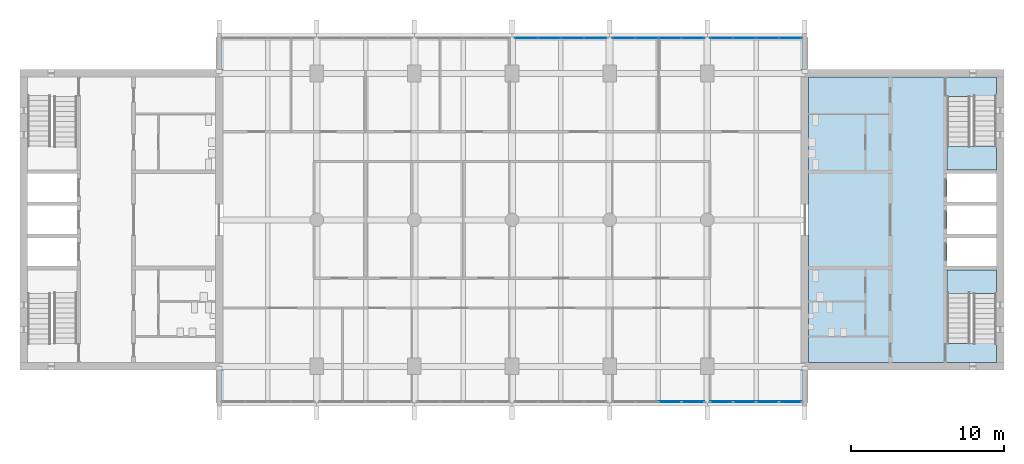
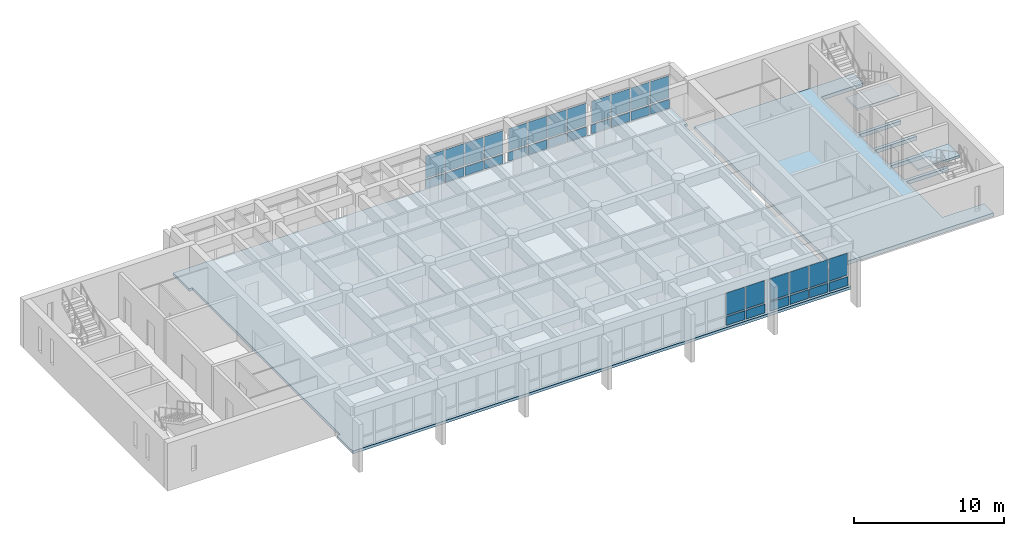
# One storey, part 8 of 15: 36 plates, 4 slabs, 7 elements without a shape of their own.
"""IFC4 building model written with IfcOpenShell, lengths in metres."""

from ifc_helpers import new_model, si_unit, direction, frame, origin, origin_2d, place, context, subcontext, project, spatial, polyline, rectangle, outline, extrude, material, layer, layer_set, type_object, element, aggregate, save


model = new_model("IFC4")

# Units and contexts
model_context = context("Model", 3, precision=1e-05, world=origin(), true_north=direction((0.0, 1.0)))
body_context = subcontext(model_context, "Body", "Model", "MODEL_VIEW")
ifc_project = project(units=[si_unit("LENGTHUNIT", "METRE"), si_unit("AREAUNIT", "SQUARE_METRE"), si_unit("VOLUMEUNIT", "CUBIC_METRE"), si_unit("PLANEANGLEUNIT", "RADIAN"), si_unit("MASSUNIT", "GRAM", prefix="KILO")], contexts=[model_context])

# Site, building, storey
site_placement = place(None, origin())
site = spatial("IfcSite", under=ifc_project, at=site_placement, CompositionType="ELEMENT")
building_placement = place(site_placement, origin())
building = spatial("IfcBuilding", under=site, at=building_placement, Name="Fogon Plaza Fire Station and Headquarters Tower", CompositionType="ELEMENT")
storey_placement = place(building_placement, frame((0.0, 0.0, 48.300048828125)))
storey = spatial("IfcBuildingStorey", under=building, at=storey_placement, Name="L12", CompositionType="ELEMENT", Elevation=48.300048828125)

# Slabs
ifc_material_1 = material(Name="Concrete C40", Category="concrete")
ifc_layer_1 = layer(ifc_material_1, 0.300048828125)
ifc_layer_set_1 = layer_set([ifc_layer_1], Name="Concrete C40")
slab_type_1 = type_object("IfcSlabType", Name="Core Floor Slab RC 300", PredefinedType="FLOOR", material=ifc_layer_set_1)
slab_1_placement = place(storey_placement, frame((0.0, 0.0, -0.300048828125)))
element("IfcSlab", 1, at=slab_1_placement, inside=storey, type_object=slab_type_1, Name="Core B floor", PredefinedType="FLOOR", context=body_context, shape_type="SweptSolid", body=[
    extrude(outline(polyline([(76.550048828125, 35.110107421875), (73.324951171875, 35.110107421875), (73.324951171875, 39.925048828125), (76.550048828125, 39.925048828125), (76.550048828125, 40.175048828125), (73.324951171875, 40.175048828125), (73.324951171875, 42.02490234375), (76.550048828125, 42.02490234375), (76.550048828125, 42.27490234375), (73.324951171875, 42.27490234375), (73.324951171875, 44.125), (76.550048828125, 44.125), (76.550048828125, 44.375), (73.324951171875, 44.375), (73.324951171875, 46.22509765625), (76.550048828125, 46.22509765625), (76.550048828125, 46.47509765625), (73.324951171875, 46.47509765625), (73.324951171875, 51.2900390625), (76.550048828125, 51.2900390625), (76.550048828125, 52.550048828125), (64.25, 52.550048828125), (64.25, 33.85009765625), (76.550048828125, 33.85009765625), (76.550048828125, 35.110107421875)])), origin(), (0.0, 0.0, 1.0), 0.300048828125),
])
ifc_material_2 = material(Name="Concrete C40", Category="concrete")
ifc_layer_2 = layer(ifc_material_2, 0.219970703125)
ifc_layer_set_2 = layer_set([ifc_layer_2], Name="Concrete C40")
slab_type_2 = type_object("IfcSlabType", Name="Floor slab 220 S22", PredefinedType="FLOOR", material=ifc_layer_set_2)
slab_2_placement = place(storey_placement, frame((0.0, 0.0, -0.219970703125)))
element("IfcSlab", 2, at=slab_2_placement, inside=storey, type_object=slab_type_2, Name="slab-L12-bar", PredefinedType="FLOOR", context=body_context, shape_type="SweptSolid", body=[
    extrude(outline(polyline([(64.0, 31.199951171875), (25.60009765625, 31.199951171875), (25.60009765625, 33.35009765625), (25.85009765625, 33.35009765625), (25.85009765625, 53.050048828125), (25.60009765625, 53.050048828125), (25.60009765625, 55.199951171875), (64.0, 55.199951171875), (64.0, 53.050048828125), (63.75, 53.050048828125), (63.75, 33.35009765625), (64.0, 33.35009765625), (64.0, 31.199951171875)])), origin(), (0.0, 0.0, 1.0), 0.219970703125),
])

# Curtain wall, plates
ifc_material_3 = material(Name="Aluminium and glass", Category="aluminium")
ifc_layer_3 = layer(ifc_material_3, 0.14990234375)
ifc_layer_set_3 = layer_set([ifc_layer_3], Name="Aluminium and glass")
curtain_wall_type = type_object("IfcCurtainWallType", Name="Unitised Curtain Wall Run 6100x2880", PredefinedType="NOTDEFINED", material=ifc_layer_set_3)
curtain_wall_1_placement = place(storey_placement, origin())
curtain_wall_1 = element("IfcCurtainWall", 3, at=curtain_wall_1_placement, inside=storey, type_object=curtain_wall_type, Name="CW-6100x2880 S5 L12", PredefinedType="NOTDEFINED")
ifc_material_4 = material(Name="Insulated aluminium spandrel", Category="aluminium")
ifc_layer_4 = layer(ifc_material_4, 0.06005859375)
ifc_layer_set_4 = layer_set([ifc_layer_4], Name="Insulated aluminium spandrel")
plate_type_1 = type_object("IfcPlateType", Name="Insulated Spandrel Panel", PredefinedType="CURTAIN_PANEL", material=ifc_layer_set_4)
plate_1_placement = place(storey_placement, frame((55.155029296875, 31.280029296875, 0.1201171875), z_axis=(0.0, 0.0, 1.0), x_axis=(1.0, 0.0, 0.0)))
plate_1 = element("IfcPlate", 4, at=plate_1_placement, type_object=plate_type_1, Name="SP1 panel 3.1", PredefinedType="CURTAIN_PANEL", context=body_context, shape_type="SweptSolid", body=[
    extrude(rectangle(XDim=1.449951171875, YDim=0.06005859375, at=origin_2d()), origin(), (0.0, 0.0, 1.0), 0.719970703125),
])
plate_2_placement = place(storey_placement, frame((56.6650390625, 31.280029296875, 0.1201171875), z_axis=(0.0, 0.0, 1.0), x_axis=(1.0, 0.0, 0.0)))
plate_2 = element("IfcPlate", 5, at=plate_2_placement, type_object=plate_type_1, Name="SP1 panel 4.1", PredefinedType="CURTAIN_PANEL", context=body_context, shape_type="SweptSolid", body=[
    extrude(rectangle(XDim=1.449951171875, YDim=0.06005859375, at=origin_2d()), origin(), (0.0, 0.0, 1.0), 0.719970703125),
])

curtain_wall_2_placement = place(storey_placement, origin())
curtain_wall_2 = element("IfcCurtainWall", 6, at=curtain_wall_2_placement, inside=storey, type_object=curtain_wall_type, Name="CW-6100x2880 S6 L12", PredefinedType="NOTDEFINED")
plate_3_placement = place(storey_placement, frame((58.534912109375, 31.280029296875, 0.1201171875), z_axis=(0.0, 0.0, 1.0), x_axis=(1.0, 0.0, 0.0)))
plate_3 = element("IfcPlate", 7, at=plate_3_placement, type_object=plate_type_1, Name="SP1 panel 1.1", PredefinedType="CURTAIN_PANEL", context=body_context, shape_type="SweptSolid", body=[
    extrude(rectangle(XDim=1.449951171875, YDim=0.06005859375, at=origin_2d()), origin(), (0.0, 0.0, 1.0), 0.719970703125),
])
plate_4_placement = place(storey_placement, frame((60.044921875, 31.280029296875, 0.1201171875), z_axis=(0.0, 0.0, 1.0), x_axis=(1.0, 0.0, 0.0)))
plate_4 = element("IfcPlate", 8, at=plate_4_placement, type_object=plate_type_1, Name="SP1 panel 2.1", PredefinedType="CURTAIN_PANEL", context=body_context, shape_type="SweptSolid", body=[
    extrude(rectangle(XDim=1.449951171875, YDim=0.06005859375, at=origin_2d()), origin(), (0.0, 0.0, 1.0), 0.719970703125),
])
plate_5_placement = place(storey_placement, frame((61.554931640625, 31.280029296875, 0.1201171875), z_axis=(0.0, 0.0, 1.0), x_axis=(1.0, 0.0, 0.0)))
plate_5 = element("IfcPlate", 9, at=plate_5_placement, type_object=plate_type_1, Name="SP1 panel 3.1", PredefinedType="CURTAIN_PANEL", context=body_context, shape_type="SweptSolid", body=[
    extrude(rectangle(XDim=1.449951171875, YDim=0.06005859375, at=origin_2d()), origin(), (0.0, 0.0, 1.0), 0.719970703125),
])
plate_6_placement = place(storey_placement, frame((63.06494140625, 31.280029296875, 0.1201171875), z_axis=(0.0, 0.0, 1.0), x_axis=(1.0, 0.0, 0.0)))
plate_6 = element("IfcPlate", 10, at=plate_6_placement, type_object=plate_type_1, Name="SP1 panel 4.1", PredefinedType="CURTAIN_PANEL", context=body_context, shape_type="SweptSolid", body=[
    extrude(rectangle(XDim=1.449951171875, YDim=0.06005859375, at=origin_2d()), origin(), (0.0, 0.0, 1.0), 0.719970703125),
])

curtain_wall_3_placement = place(storey_placement, origin())
curtain_wall_3 = element("IfcCurtainWall", 11, at=curtain_wall_3_placement, inside=storey, type_object=curtain_wall_type, Name="CW-6100x2880 N4 L12", PredefinedType="NOTDEFINED")
plate_7_placement = place(storey_placement, frame((45.735107421875, 55.1201171875, 0.1201171875), z_axis=(0.0, 0.0, 1.0), x_axis=(1.0, 0.0, 0.0)))
plate_7 = element("IfcPlate", 12, at=plate_7_placement, type_object=plate_type_1, Name="SP1 panel 1.1", PredefinedType="CURTAIN_PANEL", context=body_context, shape_type="SweptSolid", body=[
    extrude(rectangle(XDim=1.449951171875, YDim=0.06005859375, at=origin_2d()), origin(), (0.0, 0.0, 1.0), 0.719970703125),
])
plate_8_placement = place(storey_placement, frame((47.2451171875, 55.1201171875, 0.1201171875), z_axis=(0.0, 0.0, 1.0), x_axis=(1.0, 0.0, 0.0)))
plate_8 = element("IfcPlate", 13, at=plate_8_placement, type_object=plate_type_1, Name="SP1 panel 2.1", PredefinedType="CURTAIN_PANEL", context=body_context, shape_type="SweptSolid", body=[
    extrude(rectangle(XDim=1.449951171875, YDim=0.06005859375, at=origin_2d()), origin(), (0.0, 0.0, 1.0), 0.719970703125),
])
plate_9_placement = place(storey_placement, frame((48.7548828125, 55.1201171875, 0.1201171875), z_axis=(0.0, 0.0, 1.0), x_axis=(1.0, 0.0, 0.0)))
plate_9 = element("IfcPlate", 14, at=plate_9_placement, type_object=plate_type_1, Name="SP1 panel 3.1", PredefinedType="CURTAIN_PANEL", context=body_context, shape_type="SweptSolid", body=[
    extrude(rectangle(XDim=1.449951171875, YDim=0.06005859375, at=origin_2d()), origin(), (0.0, 0.0, 1.0), 0.719970703125),
])
plate_10_placement = place(storey_placement, frame((50.264892578125, 55.1201171875, 0.1201171875), z_axis=(0.0, 0.0, 1.0), x_axis=(1.0, 0.0, 0.0)))
plate_10 = element("IfcPlate", 15, at=plate_10_placement, type_object=plate_type_1, Name="SP1 panel 4.1", PredefinedType="CURTAIN_PANEL", context=body_context, shape_type="SweptSolid", body=[
    extrude(rectangle(XDim=1.449951171875, YDim=0.06005859375, at=origin_2d()), origin(), (0.0, 0.0, 1.0), 0.719970703125),
])

curtain_wall_4_placement = place(storey_placement, origin())
curtain_wall_4 = element("IfcCurtainWall", 16, at=curtain_wall_4_placement, inside=storey, type_object=curtain_wall_type, Name="CW-6100x2880 N5 L12", PredefinedType="NOTDEFINED")
plate_11_placement = place(storey_placement, frame((52.135009765625, 55.1201171875, 0.1201171875), z_axis=(0.0, 0.0, 1.0), x_axis=(1.0, 0.0, 0.0)))
plate_11 = element("IfcPlate", 17, at=plate_11_placement, type_object=plate_type_1, Name="SP1 panel 1.1", PredefinedType="CURTAIN_PANEL", context=body_context, shape_type="SweptSolid", body=[
    extrude(rectangle(XDim=1.449951171875, YDim=0.06005859375, at=origin_2d()), origin(), (0.0, 0.0, 1.0), 0.719970703125),
])
plate_12_placement = place(storey_placement, frame((53.64501953125, 55.1201171875, 0.1201171875), z_axis=(0.0, 0.0, 1.0), x_axis=(1.0, 0.0, 0.0)))
plate_12 = element("IfcPlate", 18, at=plate_12_placement, type_object=plate_type_1, Name="SP1 panel 2.1", PredefinedType="CURTAIN_PANEL", context=body_context, shape_type="SweptSolid", body=[
    extrude(rectangle(XDim=1.449951171875, YDim=0.06005859375, at=origin_2d()), origin(), (0.0, 0.0, 1.0), 0.719970703125),
])
plate_13_placement = place(storey_placement, frame((55.155029296875, 55.1201171875, 0.1201171875), z_axis=(0.0, 0.0, 1.0), x_axis=(1.0, 0.0, 0.0)))
plate_13 = element("IfcPlate", 19, at=plate_13_placement, type_object=plate_type_1, Name="SP1 panel 3.1", PredefinedType="CURTAIN_PANEL", context=body_context, shape_type="SweptSolid", body=[
    extrude(rectangle(XDim=1.449951171875, YDim=0.06005859375, at=origin_2d()), origin(), (0.0, 0.0, 1.0), 0.719970703125),
])
plate_14_placement = place(storey_placement, frame((56.6650390625, 55.1201171875, 0.1201171875), z_axis=(0.0, 0.0, 1.0), x_axis=(1.0, 0.0, 0.0)))
plate_14 = element("IfcPlate", 20, at=plate_14_placement, type_object=plate_type_1, Name="SP1 panel 4.1", PredefinedType="CURTAIN_PANEL", context=body_context, shape_type="SweptSolid", body=[
    extrude(rectangle(XDim=1.449951171875, YDim=0.06005859375, at=origin_2d()), origin(), (0.0, 0.0, 1.0), 0.719970703125),
])

curtain_wall_5_placement = place(storey_placement, origin())
curtain_wall_5 = element("IfcCurtainWall", 21, at=curtain_wall_5_placement, inside=storey, type_object=curtain_wall_type, Name="CW-6100x2880 N6 L12", PredefinedType="NOTDEFINED")
plate_15_placement = place(storey_placement, frame((58.534912109375, 55.1201171875, 0.1201171875), z_axis=(0.0, 0.0, 1.0), x_axis=(1.0, 0.0, 0.0)))
plate_15 = element("IfcPlate", 22, at=plate_15_placement, type_object=plate_type_1, Name="SP1 panel 1.1", PredefinedType="CURTAIN_PANEL", context=body_context, shape_type="SweptSolid", body=[
    extrude(rectangle(XDim=1.449951171875, YDim=0.06005859375, at=origin_2d()), origin(), (0.0, 0.0, 1.0), 0.719970703125),
])
plate_16_placement = place(storey_placement, frame((60.044921875, 55.1201171875, 0.1201171875), z_axis=(0.0, 0.0, 1.0), x_axis=(1.0, 0.0, 0.0)))
plate_16 = element("IfcPlate", 23, at=plate_16_placement, type_object=plate_type_1, Name="SP1 panel 2.1", PredefinedType="CURTAIN_PANEL", context=body_context, shape_type="SweptSolid", body=[
    extrude(rectangle(XDim=1.449951171875, YDim=0.06005859375, at=origin_2d()), origin(), (0.0, 0.0, 1.0), 0.719970703125),
])
plate_17_placement = place(storey_placement, frame((61.554931640625, 55.1201171875, 0.1201171875), z_axis=(0.0, 0.0, 1.0), x_axis=(1.0, 0.0, 0.0)))
plate_17 = element("IfcPlate", 24, at=plate_17_placement, type_object=plate_type_1, Name="SP1 panel 3.1", PredefinedType="CURTAIN_PANEL", context=body_context, shape_type="SweptSolid", body=[
    extrude(rectangle(XDim=1.449951171875, YDim=0.06005859375, at=origin_2d()), origin(), (0.0, 0.0, 1.0), 0.719970703125),
])
plate_18_placement = place(storey_placement, frame((63.06494140625, 55.1201171875, 0.1201171875), z_axis=(0.0, 0.0, 1.0), x_axis=(1.0, 0.0, 0.0)))
plate_18 = element("IfcPlate", 25, at=plate_18_placement, type_object=plate_type_1, Name="SP1 panel 4.1", PredefinedType="CURTAIN_PANEL", context=body_context, shape_type="SweptSolid", body=[
    extrude(rectangle(XDim=1.449951171875, YDim=0.06005859375, at=origin_2d()), origin(), (0.0, 0.0, 1.0), 0.719970703125),
])

# Stair, slab
ifc_material_5 = material(Name="Concrete C40", Category="concrete")
stair_type = type_object("IfcStairType", Name="Exit Stair Two Flights", PredefinedType="TWO_STRAIGHT_RUN_STAIR", material=ifc_material_5)
stair_1_placement = place(storey_placement, origin())
stair_1 = element("IfcStair", 26, at=stair_1_placement, inside=storey, type_object=stair_type, Name="Stair ST3", PredefinedType="TWO_STRAIGHT_RUN_STAIR")
ifc_material_6 = material(Name="Concrete C40", Category="concrete")
ifc_layer_5 = layer(ifc_material_6, 0.300048828125)
ifc_layer_set_5 = layer_set([ifc_layer_5], Name="Concrete C40")
slab_type_3 = type_object("IfcSlabType", Name="Stair Landing RC 300", PredefinedType="LANDING", material=ifc_layer_set_5)
slab_3_placement = place(storey_placement, frame((0.0, 0.0, 1.75)))
slab_3 = element("IfcSlab", 27, at=slab_3_placement, type_object=slab_type_3, Name="ST3 landing L14", PredefinedType="LANDING", context=body_context, shape_type="SweptSolid", body=[
    extrude(outline(polyline([(73.324951171875, 38.375), (76.550048828125, 38.375), (76.550048828125, 39.925048828125), (73.324951171875, 39.925048828125), (73.324951171875, 38.375)])), origin(), (0.0, 0.0, 1.0), 0.199951171875),
])
aggregate(stair_1, [slab_3])

stair_2_placement = place(storey_placement, origin())
stair_2 = element("IfcStair", 28, at=stair_2_placement, inside=storey, type_object=stair_type, Name="Stair ST4", PredefinedType="TWO_STRAIGHT_RUN_STAIR")
slab_4_placement = place(storey_placement, frame((0.0, 0.0, 1.75)))
slab_4 = element("IfcSlab", 29, at=slab_4_placement, type_object=slab_type_3, Name="ST4 landing L14", PredefinedType="LANDING", context=body_context, shape_type="SweptSolid", body=[
    extrude(outline(polyline([(73.324951171875, 46.47509765625), (76.550048828125, 46.47509765625), (76.550048828125, 48.02490234375), (73.324951171875, 48.02490234375), (73.324951171875, 46.47509765625)])), origin(), (0.0, 0.0, 1.0), 0.199951171875),
])
aggregate(stair_2, [slab_4])

# Plate
ifc_material_7 = material(Name="Low-e double glazing", Category="glass")
ifc_layer_6 = layer(ifc_material_7, 0.028076171875)
ifc_layer_set_6 = layer_set([ifc_layer_6], Name="Low-e double glazing")
plate_type_2 = type_object("IfcPlateType", Name="Vision Glass Panel 1450x1800", PredefinedType="CURTAIN_PANEL", material=ifc_layer_set_6)
plate_19_placement = place(storey_placement, frame((55.155029296875, 31.280029296875, 0.9599609375), z_axis=(0.0, 0.0, 1.0), x_axis=(1.0, 0.0, 0.0)))
plate_19 = element("IfcPlate", 30, at=plate_19_placement, type_object=plate_type_2, Name="VG-1450x1800 panel 3.2", PredefinedType="CURTAIN_PANEL", context=body_context, shape_type="SweptSolid", body=[
    extrude(rectangle(XDim=1.449951171875, YDim=0.028076171875, at=origin_2d()), origin(), (0.0, 0.0, 1.0), 1.800048828125),
])

plate_20_placement = place(storey_placement, frame((56.6650390625, 31.280029296875, 0.9599609375), z_axis=(0.0, 0.0, 1.0), x_axis=(1.0, 0.0, 0.0)))
plate_20 = element("IfcPlate", 31, at=plate_20_placement, type_object=plate_type_2, Name="VG-1450x1800 panel 4.2", PredefinedType="CURTAIN_PANEL", context=body_context, shape_type="SweptSolid", body=[
    extrude(rectangle(XDim=1.449951171875, YDim=0.028076171875, at=origin_2d()), origin(), (0.0, 0.0, 1.0), 1.800048828125),
])

aggregate(curtain_wall_1, [plate_1, plate_19, plate_2, plate_20])

plate_21_placement = place(storey_placement, frame((58.534912109375, 31.280029296875, 0.9599609375), z_axis=(0.0, 0.0, 1.0), x_axis=(1.0, 0.0, 0.0)))
plate_21 = element("IfcPlate", 32, at=plate_21_placement, type_object=plate_type_2, Name="VG-1450x1800 panel 1.2", PredefinedType="CURTAIN_PANEL", context=body_context, shape_type="SweptSolid", body=[
    extrude(rectangle(XDim=1.449951171875, YDim=0.028076171875, at=origin_2d()), origin(), (0.0, 0.0, 1.0), 1.800048828125),
])

plate_22_placement = place(storey_placement, frame((60.044921875, 31.280029296875, 0.9599609375), z_axis=(0.0, 0.0, 1.0), x_axis=(1.0, 0.0, 0.0)))
plate_22 = element("IfcPlate", 33, at=plate_22_placement, type_object=plate_type_2, Name="VG-1450x1800 panel 2.2", PredefinedType="CURTAIN_PANEL", context=body_context, shape_type="SweptSolid", body=[
    extrude(rectangle(XDim=1.449951171875, YDim=0.028076171875, at=origin_2d()), origin(), (0.0, 0.0, 1.0), 1.800048828125),
])

plate_23_placement = place(storey_placement, frame((61.554931640625, 31.280029296875, 0.9599609375), z_axis=(0.0, 0.0, 1.0), x_axis=(1.0, 0.0, 0.0)))
plate_23 = element("IfcPlate", 34, at=plate_23_placement, type_object=plate_type_2, Name="VG-1450x1800 panel 3.2", PredefinedType="CURTAIN_PANEL", context=body_context, shape_type="SweptSolid", body=[
    extrude(rectangle(XDim=1.449951171875, YDim=0.028076171875, at=origin_2d()), origin(), (0.0, 0.0, 1.0), 1.800048828125),
])

plate_24_placement = place(storey_placement, frame((63.06494140625, 31.280029296875, 0.9599609375), z_axis=(0.0, 0.0, 1.0), x_axis=(1.0, 0.0, 0.0)))
plate_24 = element("IfcPlate", 35, at=plate_24_placement, type_object=plate_type_2, Name="VG-1450x1800 panel 4.2", PredefinedType="CURTAIN_PANEL", context=body_context, shape_type="SweptSolid", body=[
    extrude(rectangle(XDim=1.449951171875, YDim=0.028076171875, at=origin_2d()), origin(), (0.0, 0.0, 1.0), 1.800048828125),
])

aggregate(curtain_wall_2, [plate_3, plate_21, plate_4, plate_22, plate_5, plate_23, plate_6, plate_24])

plate_25_placement = place(storey_placement, frame((45.735107421875, 55.1201171875, 0.9599609375), z_axis=(0.0, 0.0, 1.0), x_axis=(1.0, 0.0, 0.0)))
plate_25 = element("IfcPlate", 36, at=plate_25_placement, type_object=plate_type_2, Name="VG-1450x1800 panel 1.2", PredefinedType="CURTAIN_PANEL", context=body_context, shape_type="SweptSolid", body=[
    extrude(rectangle(XDim=1.449951171875, YDim=0.028076171875, at=origin_2d()), origin(), (0.0, 0.0, 1.0), 1.800048828125),
])

plate_26_placement = place(storey_placement, frame((47.2451171875, 55.1201171875, 0.9599609375), z_axis=(0.0, 0.0, 1.0), x_axis=(1.0, 0.0, 0.0)))
plate_26 = element("IfcPlate", 37, at=plate_26_placement, type_object=plate_type_2, Name="VG-1450x1800 panel 2.2", PredefinedType="CURTAIN_PANEL", context=body_context, shape_type="SweptSolid", body=[
    extrude(rectangle(XDim=1.449951171875, YDim=0.028076171875, at=origin_2d()), origin(), (0.0, 0.0, 1.0), 1.800048828125),
])

plate_27_placement = place(storey_placement, frame((48.7548828125, 55.1201171875, 0.9599609375), z_axis=(0.0, 0.0, 1.0), x_axis=(1.0, 0.0, 0.0)))
plate_27 = element("IfcPlate", 38, at=plate_27_placement, type_object=plate_type_2, Name="VG-1450x1800 panel 3.2", PredefinedType="CURTAIN_PANEL", context=body_context, shape_type="SweptSolid", body=[
    extrude(rectangle(XDim=1.449951171875, YDim=0.028076171875, at=origin_2d()), origin(), (0.0, 0.0, 1.0), 1.800048828125),
])

plate_28_placement = place(storey_placement, frame((50.264892578125, 55.1201171875, 0.9599609375), z_axis=(0.0, 0.0, 1.0), x_axis=(1.0, 0.0, 0.0)))
plate_28 = element("IfcPlate", 39, at=plate_28_placement, type_object=plate_type_2, Name="VG-1450x1800 panel 4.2", PredefinedType="CURTAIN_PANEL", context=body_context, shape_type="SweptSolid", body=[
    extrude(rectangle(XDim=1.449951171875, YDim=0.028076171875, at=origin_2d()), origin(), (0.0, 0.0, 1.0), 1.800048828125),
])

aggregate(curtain_wall_3, [plate_7, plate_25, plate_8, plate_26, plate_9, plate_27, plate_10, plate_28])

plate_29_placement = place(storey_placement, frame((52.135009765625, 55.1201171875, 0.9599609375), z_axis=(0.0, 0.0, 1.0), x_axis=(1.0, 0.0, 0.0)))
plate_29 = element("IfcPlate", 40, at=plate_29_placement, type_object=plate_type_2, Name="VG-1450x1800 panel 1.2", PredefinedType="CURTAIN_PANEL", context=body_context, shape_type="SweptSolid", body=[
    extrude(rectangle(XDim=1.449951171875, YDim=0.028076171875, at=origin_2d()), origin(), (0.0, 0.0, 1.0), 1.800048828125),
])

plate_30_placement = place(storey_placement, frame((53.64501953125, 55.1201171875, 0.9599609375), z_axis=(0.0, 0.0, 1.0), x_axis=(1.0, 0.0, 0.0)))
plate_30 = element("IfcPlate", 41, at=plate_30_placement, type_object=plate_type_2, Name="VG-1450x1800 panel 2.2", PredefinedType="CURTAIN_PANEL", context=body_context, shape_type="SweptSolid", body=[
    extrude(rectangle(XDim=1.449951171875, YDim=0.028076171875, at=origin_2d()), origin(), (0.0, 0.0, 1.0), 1.800048828125),
])

plate_31_placement = place(storey_placement, frame((55.155029296875, 55.1201171875, 0.9599609375), z_axis=(0.0, 0.0, 1.0), x_axis=(1.0, 0.0, 0.0)))
plate_31 = element("IfcPlate", 42, at=plate_31_placement, type_object=plate_type_2, Name="VG-1450x1800 panel 3.2", PredefinedType="CURTAIN_PANEL", context=body_context, shape_type="SweptSolid", body=[
    extrude(rectangle(XDim=1.449951171875, YDim=0.028076171875, at=origin_2d()), origin(), (0.0, 0.0, 1.0), 1.800048828125),
])

plate_32_placement = place(storey_placement, frame((56.6650390625, 55.1201171875, 0.9599609375), z_axis=(0.0, 0.0, 1.0), x_axis=(1.0, 0.0, 0.0)))
plate_32 = element("IfcPlate", 43, at=plate_32_placement, type_object=plate_type_2, Name="VG-1450x1800 panel 4.2", PredefinedType="CURTAIN_PANEL", context=body_context, shape_type="SweptSolid", body=[
    extrude(rectangle(XDim=1.449951171875, YDim=0.028076171875, at=origin_2d()), origin(), (0.0, 0.0, 1.0), 1.800048828125),
])

aggregate(curtain_wall_4, [plate_11, plate_29, plate_12, plate_30, plate_13, plate_31, plate_14, plate_32])

plate_33_placement = place(storey_placement, frame((58.534912109375, 55.1201171875, 0.9599609375), z_axis=(0.0, 0.0, 1.0), x_axis=(1.0, 0.0, 0.0)))
plate_33 = element("IfcPlate", 44, at=plate_33_placement, type_object=plate_type_2, Name="VG-1450x1800 panel 1.2", PredefinedType="CURTAIN_PANEL", context=body_context, shape_type="SweptSolid", body=[
    extrude(rectangle(XDim=1.449951171875, YDim=0.028076171875, at=origin_2d()), origin(), (0.0, 0.0, 1.0), 1.800048828125),
])

plate_34_placement = place(storey_placement, frame((60.044921875, 55.1201171875, 0.9599609375), z_axis=(0.0, 0.0, 1.0), x_axis=(1.0, 0.0, 0.0)))
plate_34 = element("IfcPlate", 45, at=plate_34_placement, type_object=plate_type_2, Name="VG-1450x1800 panel 2.2", PredefinedType="CURTAIN_PANEL", context=body_context, shape_type="SweptSolid", body=[
    extrude(rectangle(XDim=1.449951171875, YDim=0.028076171875, at=origin_2d()), origin(), (0.0, 0.0, 1.0), 1.800048828125),
])

plate_35_placement = place(storey_placement, frame((61.554931640625, 55.1201171875, 0.9599609375), z_axis=(0.0, 0.0, 1.0), x_axis=(1.0, 0.0, 0.0)))
plate_35 = element("IfcPlate", 46, at=plate_35_placement, type_object=plate_type_2, Name="VG-1450x1800 panel 3.2", PredefinedType="CURTAIN_PANEL", context=body_context, shape_type="SweptSolid", body=[
    extrude(rectangle(XDim=1.449951171875, YDim=0.028076171875, at=origin_2d()), origin(), (0.0, 0.0, 1.0), 1.800048828125),
])

plate_36_placement = place(storey_placement, frame((63.06494140625, 55.1201171875, 0.9599609375), z_axis=(0.0, 0.0, 1.0), x_axis=(1.0, 0.0, 0.0)))
plate_36 = element("IfcPlate", 47, at=plate_36_placement, type_object=plate_type_2, Name="VG-1450x1800 panel 4.2", PredefinedType="CURTAIN_PANEL", context=body_context, shape_type="SweptSolid", body=[
    extrude(rectangle(XDim=1.449951171875, YDim=0.028076171875, at=origin_2d()), origin(), (0.0, 0.0, 1.0), 1.800048828125),
])

aggregate(curtain_wall_5, [plate_15, plate_33, plate_16, plate_34, plate_17, plate_35, plate_18, plate_36])

save(model, "model.ifc")
